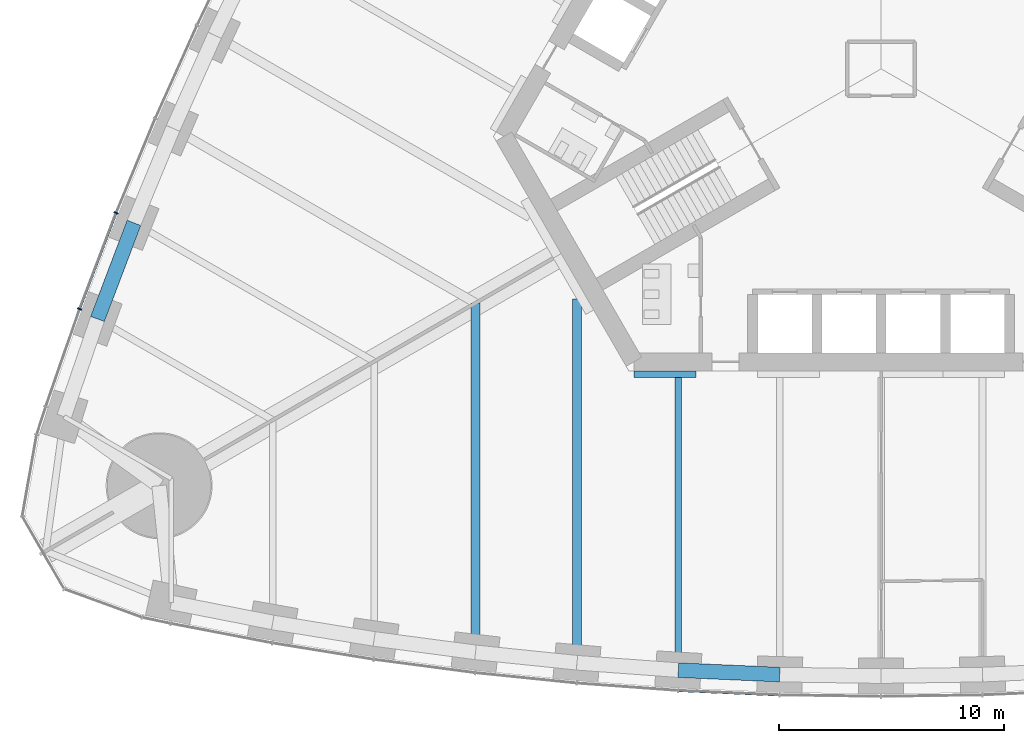
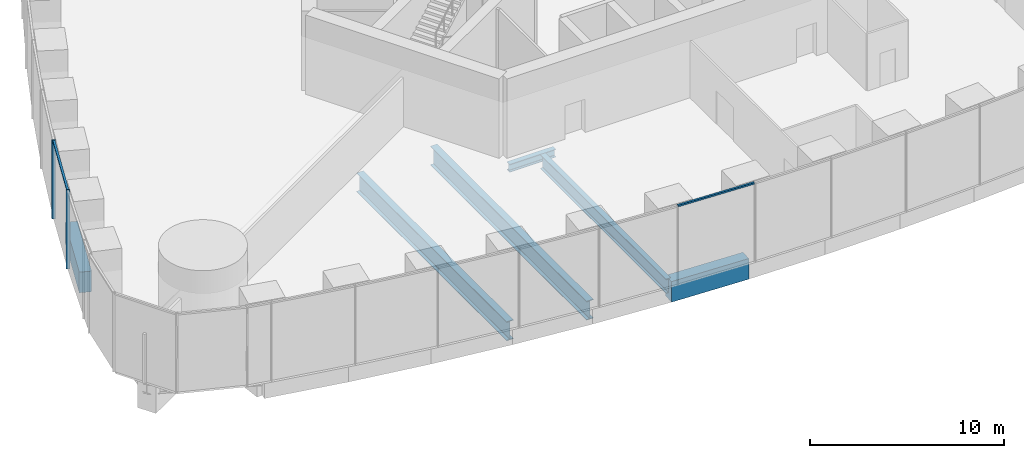
# One storey, part 3 of 21: 6 beams, 4 members, 2 elements without a shape of their own.
"""IFC4 building model written with IfcOpenShell, lengths in metres."""

from ifc_helpers import new_model, si_unit, direction, frame, origin, origin_2d, place, context, subcontext, project, spatial, rectangle, i_section, extrude, material, material_profile, profile_set, type_object, element, aggregate, save


model = new_model("IFC4")

# Units and contexts
model_context = context("Model", 3, precision=1e-05, world=origin(), true_north=direction((0.0, 1.0)))
body_context = subcontext(model_context, "Body", "Model", "MODEL_VIEW")
ifc_project = project(units=[si_unit("LENGTHUNIT", "METRE"), si_unit("AREAUNIT", "SQUARE_METRE"), si_unit("VOLUMEUNIT", "CUBIC_METRE"), si_unit("PLANEANGLEUNIT", "RADIAN"), si_unit("MASSUNIT", "GRAM", prefix="KILO")], contexts=[model_context])

# Site, building, storey
site_placement = place(None, origin())
site = spatial("IfcSite", under=ifc_project, at=site_placement, CompositionType="ELEMENT")
building_placement = place(site_placement, origin())
building = spatial("IfcBuilding", under=site, at=building_placement, Name="Trefoil Bronze Tower", CompositionType="ELEMENT")
storey_placement = place(building_placement, frame((0.0, 0.0, 6.5)))
storey = spatial("IfcBuildingStorey", under=building, at=storey_placement, Name="L01", CompositionType="ELEMENT", Elevation=6.5)

# Curtain wall, members
ifc_material_1 = material(Name="Tinted solar-control glass", Category="glass")
curtain_wall_type = type_object("IfcCurtainWallType", Name="Bronze podium storefront curtain wall", PredefinedType="USERDEFINED", material=ifc_material_1)
curtain_wall_1_placement = place(storey_placement, origin())
curtain_wall_1 = element("IfcCurtainWall", 1, at=curtain_wall_1_placement, inside=storey, type_object=curtain_wall_type, Name="CW-C L01 F3", ObjectType="CURTAIN WALL", PredefinedType="USERDEFINED")
ifc_material_2 = material(Name="Bronze-finish aluminium", Category="aluminium")
ifc_material_profile_1 = material_profile(ifc_material_2, rectangle(XDim=0.199951171875, YDim=0.06005859375, at=origin_2d()), Name="CW-C mullion")
ifc_profile_set_1 = profile_set([ifc_material_profile_1], Name="Bronze-finish aluminium")
member_type_1 = type_object("IfcMemberType", Name="Bronze podium storefront curtain wall mullion", PredefinedType="MULLION", material=ifc_profile_set_1)
member_1_placement = place(storey_placement, frame((-33.953125, -6.394775390625, 0.0), z_axis=(0.0, 0.0, 1.0), x_axis=(0.929413605838, -0.369039766534, 0.0)))
member_1 = element("IfcMember", 2, at=member_1_placement, type_object=member_type_1, Name="CW-C L01 F3 mullion 14", PredefinedType="MULLION", context=body_context, shape_type="SweptSolid", body=[
    extrude(rectangle(XDim=0.199951171875, YDim=0.06005859375, at=origin_2d()), origin(), (0.0, 0.0, 1.0), 4.97998046875),
])
member_2_placement = place(storey_placement, frame((-35.573974609375, -10.658447265625, 0.0), z_axis=(0.0, 0.0, 1.0), x_axis=(0.939860248316, -0.341559238839, 0.0)))
member_2 = element("IfcMember", 3, at=member_2_placement, type_object=member_type_1, Name="CW-C L01 F3 mullion 15", PredefinedType="MULLION", context=body_context, shape_type="SweptSolid", body=[
    extrude(rectangle(XDim=0.199951171875, YDim=0.06005859375, at=origin_2d()), origin(), (0.0, 0.0, 1.0), 4.97998046875),
])

# Curtain wall, member
curtain_wall_2_placement = place(storey_placement, origin())
curtain_wall_2 = element("IfcCurtainWall", 4, at=curtain_wall_2_placement, inside=storey, type_object=curtain_wall_type, Name="CW-C L01 F1", ObjectType="CURTAIN WALL", PredefinedType="USERDEFINED")
ifc_material_3 = material(Name="Bronze-finish aluminium", Category="aluminium")
ifc_material_profile_2 = material_profile(ifc_material_3, rectangle(XDim=0.1201171875, YDim=0.10009765625, at=origin_2d()), Name="CW-C transom")
ifc_profile_set_2 = profile_set([ifc_material_profile_2], Name="Bronze-finish aluminium")
member_type_2 = type_object("IfcMemberType", Name="Bronze podium storefront curtain wall transom", PredefinedType="USERDEFINED", material=ifc_profile_set_2)
member_3_placement = place(storey_placement, frame((-8.974365234375, -27.588623046875, 4.929931640625), z_axis=(0.999053046251, -0.043508743684, 0.0), x_axis=(0.043508743684, 0.999053046251, 0.0)))
member_3 = element("IfcMember", 5, at=member_3_placement, type_object=member_type_2, Name="CW-C L01 F1 transom 7", ObjectType="TRANSOM", PredefinedType="USERDEFINED", context=body_context, shape_type="SweptSolid", body=[
    extrude(rectangle(XDim=0.1201171875, YDim=0.10009765625, at=origin_2d()), origin(), (0.0, 0.0, 1.0), 4.444091796875),
])
aggregate(curtain_wall_2, [member_3])

# Member
member_4_placement = place(storey_placement, frame((-33.96435546875, -6.424072265625, 4.929931640625), z_axis=(-0.355324938334, -0.934742846026, 0.0), x_axis=(0.934742846026, -0.355324938334, 0.0)))
member_4 = element("IfcMember", 6, at=member_4_placement, type_object=member_type_2, Name="CW-C L01 F3 transom 14", ObjectType="TRANSOM", PredefinedType="USERDEFINED", context=body_context, shape_type="SweptSolid", body=[
    extrude(rectangle(XDim=0.1201171875, YDim=0.10009765625, at=origin_2d()), origin(), (0.0, 0.0, 1.0), 4.498291015625),
])

aggregate(curtain_wall_1, [member_1, member_2, member_4])

# Beams
ifc_material_4 = material(Name="Steel C355", Category="steel")
ifc_material_profile_3 = material_profile(ifc_material_4, i_section(OverallWidth=0.300048828125, OverallDepth=0.5, WebThickness=0.014404296875, FlangeThickness=0.028076171875, FilletRadius=0.027099609375, at=origin_2d()), Name="HEB 500")
ifc_profile_set_3 = profile_set([ifc_material_profile_3], Name="Steel C355")
beam_type_1 = type_object("IfcBeamType", Name="Core seat beam HEB 500", PredefinedType="BEAM", material=ifc_profile_set_3)
beam_1_placement = place(storey_placement, frame((-10.9697265625, -13.550048828125, -0.449951171875), z_axis=(1.0, 0.0, 0.0), x_axis=(0.0, 1.0, 0.0)))
element("IfcBeam", 7, at=beam_1_placement, inside=storey, type_object=beam_type_1, Name="Core seat beam F1/-2 L01", PredefinedType="BEAM", context=body_context, shape_type="SweptSolid", body=[
    extrude(i_section(OverallWidth=0.300048828125, OverallDepth=0.5, WebThickness=0.014404296875, FlangeThickness=0.028076171875, FilletRadius=0.027099609375, at=origin_2d()), origin(), (0.0, 0.0, 1.0), 2.742431640625),
])
ifc_material_5 = material(Name="Steel C355", Category="steel")
ifc_material_profile_4 = material_profile(ifc_material_5, i_section(OverallWidth=0.300048828125, OverallDepth=0.89990234375, WebThickness=0.0185546875, FlangeThickness=0.034912109375, FilletRadius=0.030029296875, at=origin_2d()), Name="HEB 900")
ifc_profile_set_4 = profile_set([ifc_material_profile_4], Name="Steel C355")
beam_type_2 = type_object("IfcBeamType", Name="Floor beam HEB 900", PredefinedType="BEAM", material=ifc_profile_set_4)
beam_2_placement = place(storey_placement, frame((-9.0, -26.68603515625, -0.64990234375), z_axis=(0.0, 1.0, 0.0), x_axis=(-1.0, 0.0, 0.0)))
element("IfcBeam", 8, at=beam_2_placement, inside=storey, type_object=beam_type_2, Name="Floor beam F1/-2 L01", PredefinedType="BEAM", context=body_context, shape_type="SweptSolid", body=[
    extrude(i_section(OverallWidth=0.300048828125, OverallDepth=0.89990234375, WebThickness=0.0185546875, FlangeThickness=0.034912109375, FilletRadius=0.030029296875, at=origin_2d()), origin(), (0.0, 0.0, 1.0), 12.986083984375),
])
ifc_material_6 = material(Name="Steel C355", Category="steel")
ifc_material_profile_5 = material_profile(ifc_material_6, i_section(OverallWidth=0.39990234375, OverallDepth=1.199951171875, WebThickness=0.02001953125, FlangeThickness=0.0400390625, FilletRadius=0.010009765625, at=origin_2d()), Name="WPG 1200")
ifc_profile_set_5 = profile_set([ifc_material_profile_5], Name="Steel C355")
beam_type_3 = type_object("IfcBeamType", Name="Floor beam WPG 1200", PredefinedType="BEAM", material=ifc_profile_set_5)
beam_3_placement = place(storey_placement, frame((-18.0, -25.895263671875, -0.800048828125), z_axis=(0.0, 1.0, 0.0), x_axis=(-1.0, 0.0, 0.0)))
element("IfcBeam", 9, at=beam_3_placement, inside=storey, type_object=beam_type_3, Name="Floor beam F1/-4 L01", PredefinedType="BEAM", context=body_context, shape_type="SweptSolid", body=[
    extrude(i_section(OverallWidth=0.39990234375, OverallDepth=1.199951171875, WebThickness=0.02001953125, FlangeThickness=0.0400390625, FilletRadius=0.010009765625, at=origin_2d()), origin(), (0.0, 0.0, 1.0), 15.5029296875),
])
beam_4_placement = place(storey_placement, frame((-13.5, -26.35693359375, -0.800048828125), z_axis=(0.0, 1.0, 0.0), x_axis=(-1.0, 0.0, 0.0)))
element("IfcBeam", 10, at=beam_4_placement, inside=storey, type_object=beam_type_3, Name="Floor beam F1/-3 L01", PredefinedType="BEAM", context=body_context, shape_type="SweptSolid", body=[
    extrude(i_section(OverallWidth=0.39990234375, OverallDepth=1.199951171875, WebThickness=0.02001953125, FlangeThickness=0.0400390625, FilletRadius=0.010009765625, at=origin_2d()), origin(), (0.0, 0.0, 1.0), 16.1396484375),
])
ifc_material_7 = material(Name="Concrete B80", Category="concrete")
ifc_material_profile_6 = material_profile(ifc_material_7, rectangle(XDim=0.64990234375, YDim=1.300048828125, at=origin_2d()), Name="RC 650x1300")
ifc_profile_set_6 = profile_set([ifc_material_profile_6], Name="Concrete B80")
beam_type_4 = type_object("IfcBeamType", Name="Spandrel beam RC 650x1300", PredefinedType="SPANDREL", material=ifc_profile_set_6)
beam_5_placement = place(storey_placement, frame((-9.0, -26.68603515625, -0.85009765625), z_axis=(0.999042919826, -0.043740648671, 0.0), x_axis=(0.043740648671, 0.999042919826, 0.0)))
element("IfcBeam", 11, at=beam_5_placement, inside=storey, type_object=beam_type_4, Name="Spandrel F1.7 L01", PredefinedType="SPANDREL", context=body_context, shape_type="SweptSolid", body=[
    extrude(rectangle(XDim=0.64990234375, YDim=1.300048828125, at=origin_2d()), origin(), (0.0, 0.0, 1.0), 4.50439453125),
])
beam_6_placement = place(storey_placement, frame((-33.159912109375, -6.8359375, -0.85009765625), z_axis=(-0.354571899767, -0.935028752443, 0.0), x_axis=(0.935028752443, -0.354571899767, 0.0)))
element("IfcBeam", 12, at=beam_6_placement, inside=storey, type_object=beam_type_4, Name="Spandrel F3.14 L01", PredefinedType="SPANDREL", context=body_context, shape_type="SweptSolid", body=[
    extrude(rectangle(XDim=0.64990234375, YDim=1.300048828125, at=origin_2d()), origin(), (0.0, 0.0, 1.0), 4.558837890625),
])

save(model, "model.ifc")
